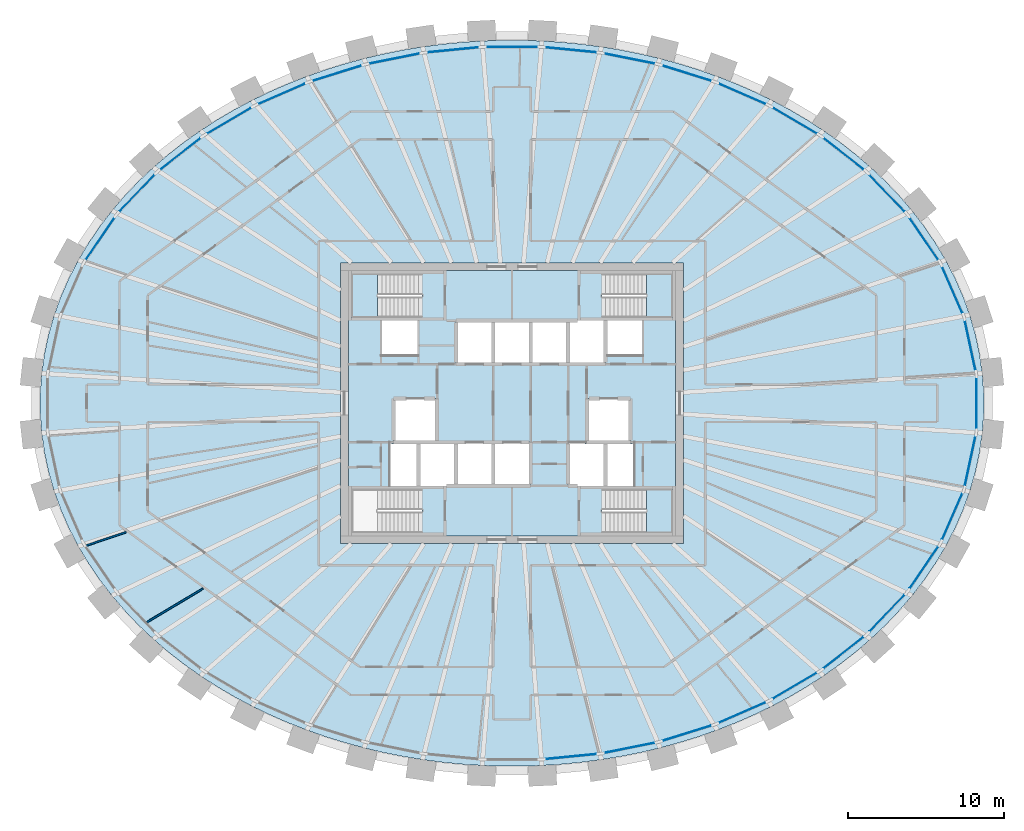
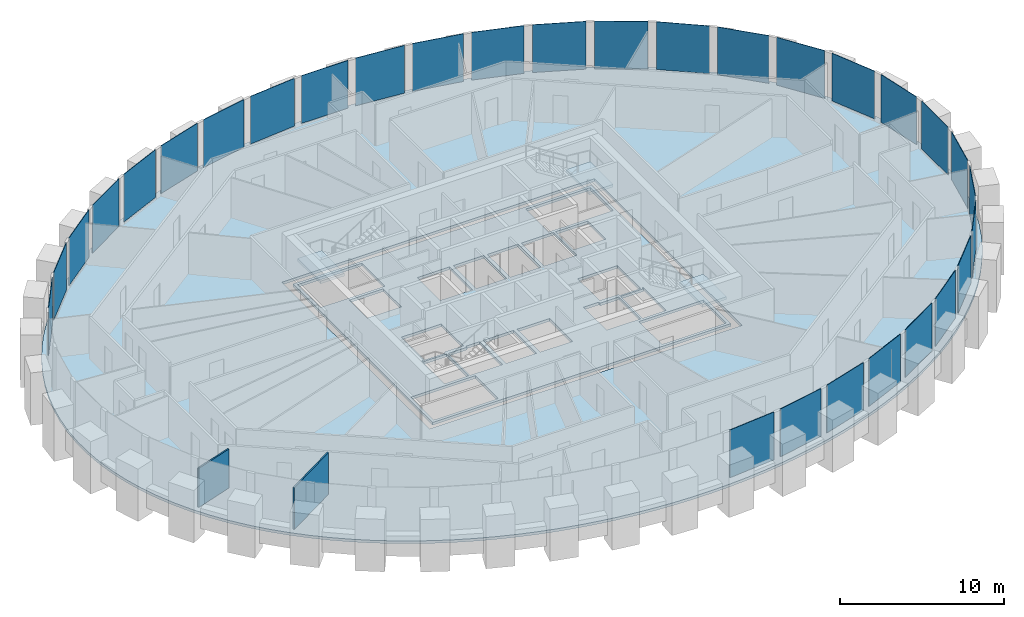
# One storey, part 5 of 12: 30 plates, 5 slabs, 2 walls, 4 elements without a shape of their own.
"""IFC4 building model written with IfcOpenShell, lengths in metres."""

from ifc_helpers import new_model, si_unit, direction, frame, frame_2d, origin, origin_2d, place, context, subcontext, project, spatial, polyline, rectangle, outline, extrude, source, transform, mapped, material, layer, layer_set, type_object, element, aggregate, save


model = new_model("IFC4")

# Units and contexts
model_context = context("Model", 3, precision=1e-05, world=origin(), true_north=direction((0.0, 1.0)))
body_context = subcontext(model_context, "Body", "Model", "MODEL_VIEW")
ifc_project = project(units=[si_unit("LENGTHUNIT", "METRE"), si_unit("AREAUNIT", "SQUARE_METRE"), si_unit("VOLUMEUNIT", "CUBIC_METRE"), si_unit("PLANEANGLEUNIT", "RADIAN"), si_unit("MASSUNIT", "GRAM", prefix="KILO")], contexts=[model_context])

# Site, building, storey
site_placement = place(None, origin())
site = spatial("IfcSite", under=ifc_project, at=site_placement, CompositionType="ELEMENT")
building_placement = place(site_placement, origin())
building = spatial("IfcBuilding", under=site, at=building_placement, Name="Embergate Tower", CompositionType="ELEMENT")
storey_placement = place(building_placement, frame((0.0, 0.0, 293.5)))
storey = spatial("IfcBuildingStorey", under=building, at=storey_placement, Name="L68", CompositionType="ELEMENT", Elevation=293.5)

# Slab
ifc_material_1 = material(Name="Concrete C40", Category="concrete")
ifc_layer_1 = layer(ifc_material_1, 0.199951171875)
ifc_layer_set_1 = layer_set([ifc_layer_1], Name="Concrete C40")
slab_type_1 = type_object("IfcSlabType", Name="Composite floor slab C40 200", PredefinedType="FLOOR", material=ifc_layer_set_1)
shared_shape_1 = source(origin(), body_context, "Body", "SweptSolid", [
    extrude(outline(polyline([(0.0, 0.0), (1.27978515625, 0.0), (2.558837890625, 0.0419921875), (3.8388671875, 0.125), (5.11279296875, 0.2509765625), (6.3779296875, 0.4169921875), (7.64599609375, 0.626953125), (8.90087890625, 0.87890625), (10.140869140625, 1.171875), (11.3837890625, 1.510986328125), (12.60595703125, 1.891845703125), (13.804931640625, 2.31298828125), (15.0068359375, 2.784912109375), (16.178955078125, 3.2978515625), (17.32080078125, 3.850830078125), (18.4619140625, 4.4599609375), (19.56494140625, 5.10791015625), (20.62890625, 5.794921875), (21.684814453125, 6.544921875), (22.69384765625, 7.331787109375), (23.65283203125, 8.15576171875), (24.593994140625, 9.046875), (25.477783203125, 9.972900390625), (26.2998046875, 10.931884765625), (27.0888671875, 11.9599609375), (27.807861328125, 13.017822265625), (28.455810546875, 14.101806640625), (29.0498046875, 15.2509765625), (29.56396484375, 16.4228515625), (29.995849609375, 17.61279296875), (30.352783203125, 18.849853515625), (30.621826171875, 20.099853515625), (30.802001953125, 21.35986328125), (30.893798828125, 22.636962890625), (30.893798828125, 23.914794921875), (30.802001953125, 25.19189453125), (30.621826171875, 26.451904296875), (30.352783203125, 27.701904296875), (29.995849609375, 28.93896484375), (29.56396484375, 30.12890625), (29.0498046875, 31.30078125), (28.455810546875, 32.449951171875), (27.807861328125, 33.533935546875), (27.0888671875, 34.591796875), (26.2998046875, 35.619873046875), (25.477783203125, 36.578857421875), (24.593994140625, 37.5048828125), (23.65283203125, 38.39599609375), (22.69384765625, 39.219970703125), (21.684814453125, 40.0068359375), (20.62890625, 40.7568359375), (19.56494140625, 41.44384765625), (18.4619140625, 42.091796875), (17.32080078125, 42.700927734375), (16.178955078125, 43.25390625), (15.0068359375, 43.766845703125), (13.804931640625, 44.23876953125), (12.60595703125, 44.659912109375), (11.3837890625, 45.040771484375), (10.140869140625, 45.3798828125), (8.90087890625, 45.6728515625), (7.64599609375, 45.9248046875), (6.3779296875, 46.134765625), (5.11279296875, 46.30078125), (3.8388671875, 46.4267578125), (2.558837890625, 46.509765625), (1.27978515625, 46.5517578125), (0.0, 46.5517578125), (-1.279052734375, 46.509765625), (-2.55908203125, 46.4267578125), (-3.8330078125, 46.30078125), (-5.09814453125, 46.134765625), (-6.3662109375, 45.9248046875), (-7.62109375, 45.6728515625), (-8.861083984375, 45.3798828125), (-10.10400390625, 45.040771484375), (-11.326171875, 44.659912109375), (-12.525146484375, 44.23876953125), (-13.72705078125, 43.766845703125), (-14.899169921875, 43.25390625), (-16.041015625, 42.700927734375), (-17.18212890625, 42.091796875), (-18.28515625, 41.44384765625), (-19.34912109375, 40.7568359375), (-20.405029296875, 40.0068359375), (-21.4140625, 39.219970703125), (-22.373046875, 38.39599609375), (-23.314208984375, 37.5048828125), (-24.197998046875, 36.578857421875), (-25.02001953125, 35.619873046875), (-25.80908203125, 34.591796875), (-26.528076171875, 33.533935546875), (-27.176025390625, 32.449951171875), (-27.77001953125, 31.30078125), (-28.2841796875, 30.12890625), (-28.716064453125, 28.93896484375), (-29.072998046875, 27.701904296875), (-29.342041015625, 26.451904296875), (-29.522216796875, 25.19189453125), (-29.614013671875, 23.914794921875), (-29.614013671875, 22.636962890625), (-29.522216796875, 21.35986328125), (-29.342041015625, 20.099853515625), (-29.072998046875, 18.849853515625), (-28.716064453125, 17.61279296875), (-28.2841796875, 16.4228515625), (-27.77001953125, 15.2509765625), (-27.176025390625, 14.101806640625), (-26.528076171875, 13.017822265625), (-25.80908203125, 11.9599609375), (-25.02001953125, 10.931884765625), (-24.197998046875, 9.972900390625), (-23.314208984375, 9.046875), (-22.373046875, 8.15576171875), (-21.4140625, 7.331787109375), (-20.405029296875, 6.544921875), (-19.34912109375, 5.794921875), (-18.28515625, 5.10791015625), (-17.18212890625, 4.4599609375), (-16.041015625, 3.850830078125), (-14.899169921875, 3.2978515625), (-13.72705078125, 2.784912109375), (-12.525146484375, 2.31298828125), (-11.326171875, 1.891845703125), (-10.10400390625, 1.510986328125), (-8.861083984375, 1.171875), (-7.62109375, 0.87890625), (-6.3662109375, 0.626953125), (-5.09814453125, 0.4169921875), (-3.8330078125, 0.2509765625), (-2.55908203125, 0.125), (-1.279052734375, 0.0419921875), (0.0, 0.0)]), holes=[polyline([(-10.360107421875, 14.27587890625), (-10.360107421875, 32.27587890625), (11.639892578125, 32.27587890625), (11.639892578125, 14.27587890625), (-10.360107421875, 14.27587890625)])]), origin(), (0.0, 0.0, 1.0), 0.199951171875),
])
slab_1_placement = place(storey_placement, frame((-0.639892578125, -23.27587890625, -0.199951171875)))
element("IfcSlab", 1, at=slab_1_placement, inside=storey, type_object=slab_type_1, Name="SLB-L68-00", PredefinedType="FLOOR", context=body_context, shape_type="MappedRepresentation", body=[
    mapped(shared_shape_1, transform((0.0, 0.0, 0.0))),
])

# Curtain wall, plates
ifc_material_2 = material(Name="Aluminium and glass", Category="aluminium")
curtain_wall_type = type_object("IfcCurtainWallType", Name="Recessed office glazing", PredefinedType="NOTDEFINED", material=ifc_material_2)
curtain_wall_placement = place(storey_placement, origin())
curtain_wall = element("IfcCurtainWall", 2, at=curtain_wall_placement, inside=storey, type_object=curtain_wall_type, Name="Recessed office glazing ring", ObjectType="RECESSED OFFICE GLAZING", PredefinedType="USERDEFINED")
ifc_material_3 = material(Name="Triple glazing, low-emissivity coating", Category="glass")
ifc_layer_2 = layer(ifc_material_3, 0.035888671875)
ifc_layer_set_2 = layer_set([ifc_layer_2], Name="Triple glazing, low-emissivity coating")
plate_type = type_object("IfcPlateType", Name="Office glazing unit", PredefinedType="CURTAIN_PANEL", material=ifc_layer_set_2)
shared_shape_2 = source(origin(), body_context, "Body", "SweptSolid", [
    extrude(rectangle(XDim=3.2314453125, YDim=0.035888671875, at=origin_2d()), origin(), (0.0, 0.0, 1.0), 3.550048828125),
])
plate_1_placement = place(storey_placement, frame((29.3798828125, 3.708251953125, 0.14990234375), z_axis=(0.0, 0.0, 1.0), x_axis=(-0.210398391177, 0.97761573074, 0.0)))
plate_1 = element("IfcPlate", 3, at=plate_1_placement, type_object=plate_type, Name="CW panel 1.1", PredefinedType="CURTAIN_PANEL", context=body_context, shape_type="MappedRepresentation", body=[
    mapped(shared_shape_2, transform((0.0, 0.0, 0.0))),
])
plate_2_placement = place(storey_placement, frame((29.3798828125, -3.708251953125, 0.14990234375), z_axis=(0.0, 0.0, 1.0), x_axis=(0.210398391177, 0.97761573074, 0.0)))
plate_2 = element("IfcPlate", 4, at=plate_2_placement, type_object=plate_type, Name="CW panel 43.1", PredefinedType="CURTAIN_PANEL", context=body_context, shape_type="MappedRepresentation", body=[
    mapped(shared_shape_2, transform((0.0, 0.0, 0.0))),
])
shared_shape_3 = source(origin(), body_context, "Body", "SweptSolid", [
    extrude(rectangle(XDim=3.23828125, YDim=0.035888671875, at=origin_2d()), origin(), (0.0, 0.0, 1.0), 3.550048828125),
])
plate_3_placement = place(storey_placement, frame((28.23046875, 7.2626953125, 0.14990234375), z_axis=(0.0, 0.0, 1.0), x_axis=(-0.401653699516, 0.915791627864, 0.0)))
plate_3 = element("IfcPlate", 5, at=plate_3_placement, type_object=plate_type, Name="CW panel 2.1", PredefinedType="CURTAIN_PANEL", context=body_context, shape_type="MappedRepresentation", body=[
    mapped(shared_shape_3, transform((0.0, 0.0, 0.0))),
])
plate_4_placement = place(storey_placement, frame((28.23046875, -7.2626953125, 0.14990234375), z_axis=(0.0, 0.0, 1.0), x_axis=(0.401653699516, 0.915791627864, 0.0)))
plate_4 = element("IfcPlate", 6, at=plate_4_placement, type_object=plate_type, Name="CW panel 42.1", PredefinedType="CURTAIN_PANEL", context=body_context, shape_type="MappedRepresentation", body=[
    mapped(shared_shape_3, transform((0.0, 0.0, 0.0))),
])
shared_shape_4 = source(origin(), body_context, "Body", "SweptSolid", [
    extrude(rectangle(XDim=3.246826171875, YDim=0.035888671875, at=origin_2d()), origin(), (0.0, 0.0, 1.0), 3.550048828125),
])
plate_5_placement = place(storey_placement, frame((26.41650390625, 10.541015625, 0.14990234375), z_axis=(0.0, 0.0, 1.0), x_axis=(-0.562341741915, 0.826904931234, 0.0)))
plate_5 = element("IfcPlate", 7, at=plate_5_placement, type_object=plate_type, Name="CW panel 3.1", PredefinedType="CURTAIN_PANEL", context=body_context, shape_type="MappedRepresentation", body=[
    mapped(shared_shape_4, transform((0.0, 0.0, 0.0))),
])
plate_6_placement = place(storey_placement, frame((-26.41650390625, 10.541015625, 0.14990234375), z_axis=(0.0, 0.0, 1.0), x_axis=(-0.562341741915, -0.826904931234, 0.0)))
plate_6 = element("IfcPlate", 8, at=plate_6_placement, type_object=plate_type, Name="CW panel 19.1", PredefinedType="CURTAIN_PANEL", context=body_context, shape_type="MappedRepresentation", body=[
    mapped(shared_shape_4, transform((0.0, 0.0, 0.0))),
])
plate_7_placement = place(storey_placement, frame((26.41650390625, -10.541015625, 0.14990234375), z_axis=(0.0, 0.0, 1.0), x_axis=(0.562341741915, 0.826904931234, 0.0)))
plate_7 = element("IfcPlate", 9, at=plate_7_placement, type_object=plate_type, Name="CW panel 41.1", PredefinedType="CURTAIN_PANEL", context=body_context, shape_type="MappedRepresentation", body=[
    mapped(shared_shape_4, transform((0.0, 0.0, 0.0))),
])
shared_shape_5 = source(origin(), body_context, "Body", "SweptSolid", [
    extrude(rectangle(XDim=3.255126953125, YDim=0.035888671875, at=origin_2d()), origin(), (0.0, 0.0, 1.0), 3.550048828125),
])
plate_8_placement = place(storey_placement, frame((24.0546875, 13.464599609375, 0.14990234375), z_axis=(0.0, 0.0, 1.0), x_axis=(-0.690133784465, 0.723681808215, 0.0)))
plate_8 = element("IfcPlate", 10, at=plate_8_placement, type_object=plate_type, Name="CW panel 4.1", PredefinedType="CURTAIN_PANEL", context=body_context, shape_type="MappedRepresentation", body=[
    mapped(shared_shape_5, transform((0.0, 0.0, 0.0))),
])
plate_9_placement = place(storey_placement, frame((-24.0546875, 13.464599609375, 0.14990234375), z_axis=(0.0, 0.0, 1.0), x_axis=(-0.690133784465, -0.723681808215, 0.0)))
plate_9 = element("IfcPlate", 11, at=plate_9_placement, type_object=plate_type, Name="CW panel 18.1", PredefinedType="CURTAIN_PANEL", context=body_context, shape_type="MappedRepresentation", body=[
    mapped(shared_shape_5, transform((0.0, 0.0, 0.0))),
])
plate_10_placement = place(storey_placement, frame((24.0546875, -13.464599609375, 0.14990234375), z_axis=(0.0, 0.0, 1.0), x_axis=(0.690133784465, 0.723681808215, 0.0)))
plate_10 = element("IfcPlate", 12, at=plate_10_placement, type_object=plate_type, Name="CW panel 40.1", PredefinedType="CURTAIN_PANEL", context=body_context, shape_type="MappedRepresentation", body=[
    mapped(shared_shape_5, transform((0.0, 0.0, 0.0))),
])
shared_shape_6 = source(origin(), body_context, "Body", "SweptSolid", [
    extrude(rectangle(XDim=3.262451171875, YDim=0.035888671875, at=origin_2d()), origin(), (0.0, 0.0, 1.0), 3.550048828125),
])
plate_11_placement = place(storey_placement, frame((21.26123046875, 15.994140625, 0.14990234375), z_axis=(0.0, 0.0, 1.0), x_axis=(-0.788317971569, 0.615268051911, 0.0)))
plate_11 = element("IfcPlate", 13, at=plate_11_placement, type_object=plate_type, Name="CW panel 5.1", PredefinedType="CURTAIN_PANEL", context=body_context, shape_type="MappedRepresentation", body=[
    mapped(shared_shape_6, transform((0.0, 0.0, 0.0))),
])
plate_12_placement = place(storey_placement, frame((-21.26123046875, 15.994140625, 0.14990234375), z_axis=(0.0, 0.0, 1.0), x_axis=(-0.788317971569, -0.615268051911, 0.0)))
plate_12 = element("IfcPlate", 14, at=plate_12_placement, type_object=plate_type, Name="CW panel 17.1", PredefinedType="CURTAIN_PANEL", context=body_context, shape_type="MappedRepresentation", body=[
    mapped(shared_shape_6, transform((0.0, 0.0, 0.0))),
])
plate_13_placement = place(storey_placement, frame((21.26123046875, -15.994140625, 0.14990234375), z_axis=(0.0, 0.0, 1.0), x_axis=(0.788317971569, 0.615268051911, 0.0)))
plate_13 = element("IfcPlate", 15, at=plate_13_placement, type_object=plate_type, Name="CW panel 39.1", PredefinedType="CURTAIN_PANEL", context=body_context, shape_type="MappedRepresentation", body=[
    mapped(shared_shape_6, transform((0.0, 0.0, 0.0))),
])
shared_shape_7 = source(origin(), body_context, "Body", "SweptSolid", [
    extrude(rectangle(XDim=3.268310546875, YDim=0.035888671875, at=origin_2d()), origin(), (0.0, 0.0, 1.0), 3.550048828125),
])
plate_14_placement = place(storey_placement, frame((18.137451171875, 18.117919921875, 0.14990234375), z_axis=(0.0, 0.0, 1.0), x_axis=(-0.862051398678, 0.50682086188, 0.0)))
plate_14 = element("IfcPlate", 16, at=plate_14_placement, type_object=plate_type, Name="CW panel 6.1", PredefinedType="CURTAIN_PANEL", context=body_context, shape_type="MappedRepresentation", body=[
    mapped(shared_shape_7, transform((0.0, 0.0, 0.0))),
])
plate_15_placement = place(storey_placement, frame((-18.137451171875, 18.117919921875, 0.14990234375), z_axis=(0.0, 0.0, 1.0), x_axis=(-0.862051398678, -0.50682086188, 0.0)))
plate_15 = element("IfcPlate", 17, at=plate_15_placement, type_object=plate_type, Name="CW panel 16.1", PredefinedType="CURTAIN_PANEL", context=body_context, shape_type="MappedRepresentation", body=[
    mapped(shared_shape_7, transform((0.0, 0.0, 0.0))),
])
plate_16_placement = place(storey_placement, frame((18.137451171875, -18.117919921875, 0.14990234375), z_axis=(0.0, 0.0, 1.0), x_axis=(0.862051398678, 0.50682086188, 0.0)))
plate_16 = element("IfcPlate", 18, at=plate_16_placement, type_object=plate_type, Name="CW panel 38.1", PredefinedType="CURTAIN_PANEL", context=body_context, shape_type="MappedRepresentation", body=[
    mapped(shared_shape_7, transform((0.0, 0.0, 0.0))),
])
shared_shape_8 = source(origin(), body_context, "Body", "SweptSolid", [
    extrude(rectangle(XDim=3.272705078125, YDim=0.035888671875, at=origin_2d()), origin(), (0.0, 0.0, 1.0), 3.550048828125),
])
plate_17_placement = place(storey_placement, frame((14.76708984375, 19.837646484375, 0.14990234375), z_axis=(0.0, 0.0, 1.0), x_axis=(-0.916234813243, 0.400641694037, 0.0)))
plate_17 = element("IfcPlate", 19, at=plate_17_placement, type_object=plate_type, Name="CW panel 7.1", PredefinedType="CURTAIN_PANEL", context=body_context, shape_type="MappedRepresentation", body=[
    mapped(shared_shape_8, transform((0.0, 0.0, 0.0))),
])
plate_18_placement = place(storey_placement, frame((-14.76708984375, 19.837646484375, 0.14990234375), z_axis=(0.0, 0.0, 1.0), x_axis=(-0.916234813243, -0.400641694037, 0.0)))
plate_18 = element("IfcPlate", 20, at=plate_18_placement, type_object=plate_type, Name="CW panel 15.1", PredefinedType="CURTAIN_PANEL", context=body_context, shape_type="MappedRepresentation", body=[
    mapped(shared_shape_8, transform((0.0, 0.0, 0.0))),
])
plate_19_placement = place(storey_placement, frame((14.76708984375, -19.837646484375, 0.14990234375), z_axis=(0.0, 0.0, 1.0), x_axis=(0.916234813243, 0.400641694037, 0.0)))
plate_19 = element("IfcPlate", 21, at=plate_19_placement, type_object=plate_type, Name="CW panel 37.1", PredefinedType="CURTAIN_PANEL", context=body_context, shape_type="MappedRepresentation", body=[
    mapped(shared_shape_8, transform((0.0, 0.0, 0.0))),
])
shared_shape_9 = source(origin(), body_context, "Body", "SweptSolid", [
    extrude(rectangle(XDim=3.27587890625, YDim=0.035888671875, at=origin_2d()), origin(), (0.0, 0.0, 1.0), 3.550048828125),
])
plate_20_placement = place(storey_placement, frame((11.21728515625, 21.16162109375, 0.14990234375), z_axis=(0.0, 0.0, 1.0), x_axis=(-0.954771179262, 0.297341546458, 0.0)))
plate_20 = element("IfcPlate", 22, at=plate_20_placement, type_object=plate_type, Name="CW panel 8.1", PredefinedType="CURTAIN_PANEL", context=body_context, shape_type="MappedRepresentation", body=[
    mapped(shared_shape_9, transform((0.0, 0.0, 0.0))),
])
plate_21_placement = place(storey_placement, frame((-11.21728515625, 21.16162109375, 0.14990234375), z_axis=(0.0, 0.0, 1.0), x_axis=(-0.954771179262, -0.297341546458, 0.0)))
plate_21 = element("IfcPlate", 23, at=plate_21_placement, type_object=plate_type, Name="CW panel 14.1", PredefinedType="CURTAIN_PANEL", context=body_context, shape_type="MappedRepresentation", body=[
    mapped(shared_shape_9, transform((0.0, 0.0, 0.0))),
])
plate_22_placement = place(storey_placement, frame((11.21728515625, -21.16162109375, 0.14990234375), z_axis=(0.0, 0.0, 1.0), x_axis=(0.954771179262, 0.297341546458, 0.0)))
plate_22 = element("IfcPlate", 24, at=plate_22_placement, type_object=plate_type, Name="CW panel 36.1", PredefinedType="CURTAIN_PANEL", context=body_context, shape_type="MappedRepresentation", body=[
    mapped(shared_shape_9, transform((0.0, 0.0, 0.0))),
])
shared_shape_10 = source(origin(), body_context, "Body", "SweptSolid", [
    extrude(rectangle(XDim=3.2783203125, YDim=0.035888671875, at=origin_2d()), origin(), (0.0, 0.0, 1.0), 3.550048828125),
])
plate_23_placement = place(storey_placement, frame((7.543212890625, 22.099609375, 0.14990234375), z_axis=(0.0, 0.0, 1.0), x_axis=(-0.980475564207, 0.196640962142, 0.0)))
plate_23 = element("IfcPlate", 25, at=plate_23_placement, type_object=plate_type, Name="CW panel 9.1", PredefinedType="CURTAIN_PANEL", context=body_context, shape_type="MappedRepresentation", body=[
    mapped(shared_shape_10, transform((0.0, 0.0, 0.0))),
])
plate_24_placement = place(storey_placement, frame((-7.543212890625, 22.099609375, 0.14990234375), z_axis=(0.0, 0.0, 1.0), x_axis=(-0.980475564207, -0.196640962142, 0.0)))
plate_24 = element("IfcPlate", 26, at=plate_24_placement, type_object=plate_type, Name="CW panel 13.1", PredefinedType="CURTAIN_PANEL", context=body_context, shape_type="MappedRepresentation", body=[
    mapped(shared_shape_10, transform((0.0, 0.0, 0.0))),
])
plate_25_placement = place(storey_placement, frame((7.543212890625, -22.099609375, 0.14990234375), z_axis=(0.0, 0.0, 1.0), x_axis=(0.980475564207, 0.196640962142, 0.0)))
plate_25 = element("IfcPlate", 27, at=plate_25_placement, type_object=plate_type, Name="CW panel 35.1", PredefinedType="CURTAIN_PANEL", context=body_context, shape_type="MappedRepresentation", body=[
    mapped(shared_shape_10, transform((0.0, 0.0, 0.0))),
])
shared_shape_11 = source(origin(), body_context, "Body", "SweptSolid", [
    extrude(rectangle(XDim=3.279296875, YDim=0.035888671875, at=origin_2d()), origin(), (0.0, 0.0, 1.0), 3.550048828125),
])
plate_26_placement = place(storey_placement, frame((3.79052734375, 22.65869140625, 0.14990234375), z_axis=(0.0, 0.0, 1.0), x_axis=(-0.995203184788, 0.097829550688, 0.0)))
plate_26 = element("IfcPlate", 28, at=plate_26_placement, type_object=plate_type, Name="CW panel 10.1", PredefinedType="CURTAIN_PANEL", context=body_context, shape_type="MappedRepresentation", body=[
    mapped(shared_shape_11, transform((0.0, 0.0, 0.0))),
])
plate_27_placement = place(storey_placement, frame((-3.79052734375, 22.65869140625, 0.14990234375), z_axis=(0.0, 0.0, 1.0), x_axis=(-0.995203184788, -0.097829550688, 0.0)))
plate_27 = element("IfcPlate", 29, at=plate_27_placement, type_object=plate_type, Name="CW panel 12.1", PredefinedType="CURTAIN_PANEL", context=body_context, shape_type="MappedRepresentation", body=[
    mapped(shared_shape_11, transform((0.0, 0.0, 0.0))),
])
plate_28_placement = place(storey_placement, frame((3.79052734375, -22.65869140625, 0.14990234375), z_axis=(0.0, 0.0, 1.0), x_axis=(0.995203184788, 0.097829550688, 0.0)))
plate_28 = element("IfcPlate", 30, at=plate_28_placement, type_object=plate_type, Name="CW panel 34.1", PredefinedType="CURTAIN_PANEL", context=body_context, shape_type="MappedRepresentation", body=[
    mapped(shared_shape_11, transform((0.0, 0.0, 0.0))),
])
shared_shape_12 = source(origin(), body_context, "Body", "SweptSolid", [
    extrude(rectangle(XDim=3.27978515625, YDim=0.035888671875, at=origin_2d()), origin(), (0.0, 0.0, 1.0), 3.550048828125),
])
plate_29_placement = place(storey_placement, frame((0.0, 22.844482421875, 0.14990234375), z_axis=(0.0, 0.0, 1.0), x_axis=(-1.0, 0.0, 0.0)))
plate_29 = element("IfcPlate", 31, at=plate_29_placement, type_object=plate_type, Name="CW panel 11.1", PredefinedType="CURTAIN_PANEL", context=body_context, shape_type="MappedRepresentation", body=[
    mapped(shared_shape_12, transform((0.0, 0.0, 0.0))),
])
shared_shape_13 = source(origin(), body_context, "Body", "SweptSolid", [
    extrude(rectangle(XDim=3.22900390625, YDim=0.035888671875, at=origin_2d()), origin(), (0.0, 0.0, 1.0), 3.550048828125),
])
plate_30_placement = place(storey_placement, frame((29.774658203125, 0.0, 0.14990234375), z_axis=(0.0, 0.0, 1.0), x_axis=(0.0, 1.0, 0.0)))
plate_30 = element("IfcPlate", 32, at=plate_30_placement, type_object=plate_type, Name="CW panel 44.1", PredefinedType="CURTAIN_PANEL", context=body_context, shape_type="MappedRepresentation", body=[
    mapped(shared_shape_13, transform((0.0, 0.0, 0.0))),
])
aggregate(curtain_wall, [plate_1, plate_3, plate_5, plate_8, plate_11, plate_14, plate_17, plate_20, plate_23, plate_26, plate_29, plate_27, plate_24, plate_21, plate_18, plate_15, plate_12, plate_9, plate_6, plate_28, plate_25, plate_22, plate_19, plate_16, plate_13, plate_10, plate_7, plate_4, plate_2, plate_30])

# Stair, slab
ifc_material_4 = material(Name="Exit stair")
stair_type = type_object("IfcStairType", Name="Exit stair", PredefinedType="HALF_TURN_STAIR", material=ifc_material_4)
stair_1_placement = place(storey_placement, origin())
stair_1 = element("IfcStair", 33, at=stair_1_placement, inside=storey, type_object=stair_type, Name="L68 Exit stair 1", PredefinedType="HALF_TURN_STAIR")
ifc_layer_3 = layer(ifc_material_1, 0.199951171875)
ifc_layer_set_3 = layer_set([ifc_layer_3], Name="Concrete C40")
slab_type_2 = type_object("IfcSlabType", Name="Stair landing reinforced concrete", PredefinedType="LANDING", material=ifc_layer_set_3)
shared_shape_14 = source(origin(), body_context, "Body", "SweptSolid", [
    extrude(outline(polyline([(0.0, 0.0), (1.68994140625, 0.0), (1.68994140625, 2.800048828125), (0.0, 2.800048828125), (0.0, 0.0)])), origin(), (0.0, 0.0, 1.0), 0.199951171875),
])
slab_2_placement = place(storey_placement, frame((-10.300048828125, 5.5, 1.75)))
slab_2 = element("IfcSlab", 34, at=slab_2_placement, type_object=slab_type_2, Name="ST1 landing 1", PredefinedType="LANDING", context=body_context, shape_type="MappedRepresentation", body=[
    mapped(shared_shape_14, transform((0.0, 0.0, 0.0))),
])
aggregate(stair_1, [slab_2])

stair_2_placement = place(storey_placement, origin())
stair_2 = element("IfcStair", 35, at=stair_2_placement, inside=storey, type_object=stair_type, Name="L68 Exit stair 2", PredefinedType="HALF_TURN_STAIR")
slab_3_placement = place(storey_placement, frame((8.610107421875, 5.5, 1.75)))
slab_3 = element("IfcSlab", 36, at=slab_3_placement, type_object=slab_type_2, Name="ST2 landing 1", PredefinedType="LANDING", context=body_context, shape_type="MappedRepresentation", body=[
    mapped(shared_shape_14, transform((0.0, 0.0, 0.0))),
])
aggregate(stair_2, [slab_3])

stair_3_placement = place(storey_placement, origin())
stair_3 = element("IfcStair", 37, at=stair_3_placement, inside=storey, type_object=stair_type, Name="L68 Exit stair 4", PredefinedType="HALF_TURN_STAIR")
slab_4_placement = place(storey_placement, frame((8.610107421875, -8.300048828125, 1.75)))
slab_4 = element("IfcSlab", 38, at=slab_4_placement, type_object=slab_type_2, Name="ST4 landing 1", PredefinedType="LANDING", context=body_context, shape_type="MappedRepresentation", body=[
    mapped(shared_shape_14, transform((0.0, 0.0, 0.0))),
])
aggregate(stair_3, [slab_4])

# Slab
ifc_layer_4 = layer(ifc_material_1, 0.199951171875)
ifc_layer_set_4 = layer_set([ifc_layer_4], Name="Concrete C40")
slab_type_3 = type_object("IfcSlabType", Name="Core floor slab 200 reinforced concrete", PredefinedType="FLOOR", material=ifc_layer_set_4)
shared_shape_15 = source(origin(), body_context, "Body", "SweptSolid", [
    extrude(outline(polyline([(0.0, 0.0), (21.0, 0.0), (21.0, 17.0), (0.0, 17.0), (0.0, 0.0)]), holes=[polyline([(0.199951171875, 0.199951171875), (0.199951171875, 3.0), (4.739990234375, 3.0), (4.739990234375, 0.199951171875), (0.199951171875, 0.199951171875)]), polyline([(16.260009765625, 0.199951171875), (16.260009765625, 3.0), (20.800048828125, 3.0), (20.800048828125, 0.199951171875), (16.260009765625, 0.199951171875)]), polyline([(2.699951171875, 3.199951171875), (2.699951171875, 6.0), (2.77490234375, 6.0), (2.77490234375, 5.875), (4.375, 5.875), (4.375, 3.199951171875), (2.699951171875, 3.199951171875)]), polyline([(4.5, 3.199951171875), (4.5, 5.875), (5.824951171875, 5.875), (5.824951171875, 6.0), (6.77490234375, 6.0), (6.77490234375, 3.199951171875), (4.5, 3.199951171875)]), polyline([(7.02490234375, 3.199951171875), (7.02490234375, 6.0), (9.175048828125, 6.0), (9.175048828125, 3.199951171875), (7.02490234375, 3.199951171875)]), polyline([(9.425048828125, 3.199951171875), (9.425048828125, 6.0), (11.699951171875, 6.0), (11.699951171875, 3.199951171875), (9.425048828125, 3.199951171875)]), polyline([(14.10009765625, 3.199951171875), (14.10009765625, 6.0), (15.175048828125, 6.0), (15.175048828125, 5.875), (16.5, 5.875), (16.5, 3.199951171875), (14.10009765625, 3.199951171875)]), polyline([(16.625, 3.199951171875), (16.625, 5.875), (18.22509765625, 5.875), (18.22509765625, 6.0), (18.300048828125, 6.0), (18.300048828125, 3.199951171875), (16.625, 3.199951171875)]), polyline([(2.89990234375, 6.0), (2.89990234375, 8.800048828125), (5.699951171875, 8.800048828125), (5.699951171875, 6.125), (4.375, 6.125), (4.375, 6.0), (2.89990234375, 6.0)]), polyline([(16.625, 6.0), (16.625, 6.125), (15.300048828125, 6.125), (15.300048828125, 8.800048828125), (18.10009765625, 8.800048828125), (18.10009765625, 6.0), (16.625, 6.0)]), polyline([(6.89990234375, 11.0), (6.89990234375, 13.800048828125), (9.175048828125, 13.800048828125), (9.175048828125, 11.0), (6.89990234375, 11.0)]), polyline([(9.425048828125, 11.0), (9.425048828125, 13.800048828125), (11.574951171875, 13.800048828125), (11.574951171875, 11.0), (9.425048828125, 11.0)]), polyline([(11.824951171875, 11.0), (11.824951171875, 13.800048828125), (13.97509765625, 13.800048828125), (13.97509765625, 11.0), (11.824951171875, 11.0)]), polyline([(14.22509765625, 11.0), (14.22509765625, 13.800048828125), (16.5, 13.800048828125), (16.5, 11.0), (14.22509765625, 11.0)]), polyline([(2.10009765625, 11.60009765625), (2.10009765625, 13.800048828125), (4.5, 13.800048828125), (4.5, 11.60009765625), (2.10009765625, 11.60009765625)]), polyline([(16.625, 11.60009765625), (16.625, 13.800048828125), (18.89990234375, 13.800048828125), (18.89990234375, 11.60009765625), (16.625, 11.60009765625)]), polyline([(0.199951171875, 14.0), (0.199951171875, 16.800048828125), (4.739990234375, 16.800048828125), (4.739990234375, 14.0), (0.199951171875, 14.0)]), polyline([(16.260009765625, 14.0), (16.260009765625, 16.800048828125), (20.800048828125, 16.800048828125), (20.800048828125, 14.0), (16.260009765625, 14.0)])]), origin(), (0.0, 0.0, 1.0), 0.199951171875),
])
slab_5_placement = place(storey_placement, frame((-10.5, -8.5, -0.199951171875)))
element("IfcSlab", 39, at=slab_5_placement, inside=storey, type_object=slab_type_3, Name="Core floor slab", PredefinedType="FLOOR", context=body_context, shape_type="MappedRepresentation", body=[
    mapped(shared_shape_15, transform((0.0, 0.0, 0.0))),
])

# Walls
ifc_material_5 = material(Name="Partition dry-lined 100")
ifc_layer_5 = layer(ifc_material_5, 0.10009765625)
ifc_layer_set_5 = layer_set([ifc_layer_5], Name="Partition dry-lined 100")
wall_type = type_object("IfcWallType", Name="Partition dry-lined 100", PredefinedType="PARTITIONING", material=ifc_layer_set_5)
shared_shape_16 = source(origin(), body_context, "Body", "SweptSolid", [
    extrude(rectangle(XDim=4.312255859375, YDim=0.10009765625, at=frame_2d((2.15625, 0.0))), origin(), (0.0, 0.0, 1.0), 3.10009765625),
])
wall_1_placement = place(storey_placement, frame((-19.81005859375, -11.883056640625, 0.0), z_axis=(0.0, 0.0, 1.0), x_axis=(-0.857572844795, -0.514362533502, 0.0)))
element("IfcWall", 40, at=wall_1_placement, inside=storey, type_object=wall_type, Name="IP-1 wall", PredefinedType="PARTITIONING", context=body_context, shape_type="MappedRepresentation", body=[
    mapped(shared_shape_16, transform((0.0, 0.0, 0.0))),
])
shared_shape_17 = source(origin(), body_context, "Body", "SweptSolid", [
    extrude(rectangle(XDim=2.763671875, YDim=0.10009765625, at=frame_2d((1.3818359375, 0.0))), origin(), (0.0, 0.0, 1.0), 2.89990234375),
])
wall_2_placement = place(storey_placement, frame((-24.743896484375, -8.27294921875, 0.0), z_axis=(0.0, 0.0, 1.0), x_axis=(-0.948435651282, -0.316969738897, 0.0)))
element("IfcWall", 41, at=wall_2_placement, inside=storey, type_object=wall_type, Name="IP-1 wall", PredefinedType="PARTITIONING", context=body_context, shape_type="MappedRepresentation", body=[
    mapped(shared_shape_17, transform((0.0, 0.0, 0.0))),
])

save(model, "model.ifc")
